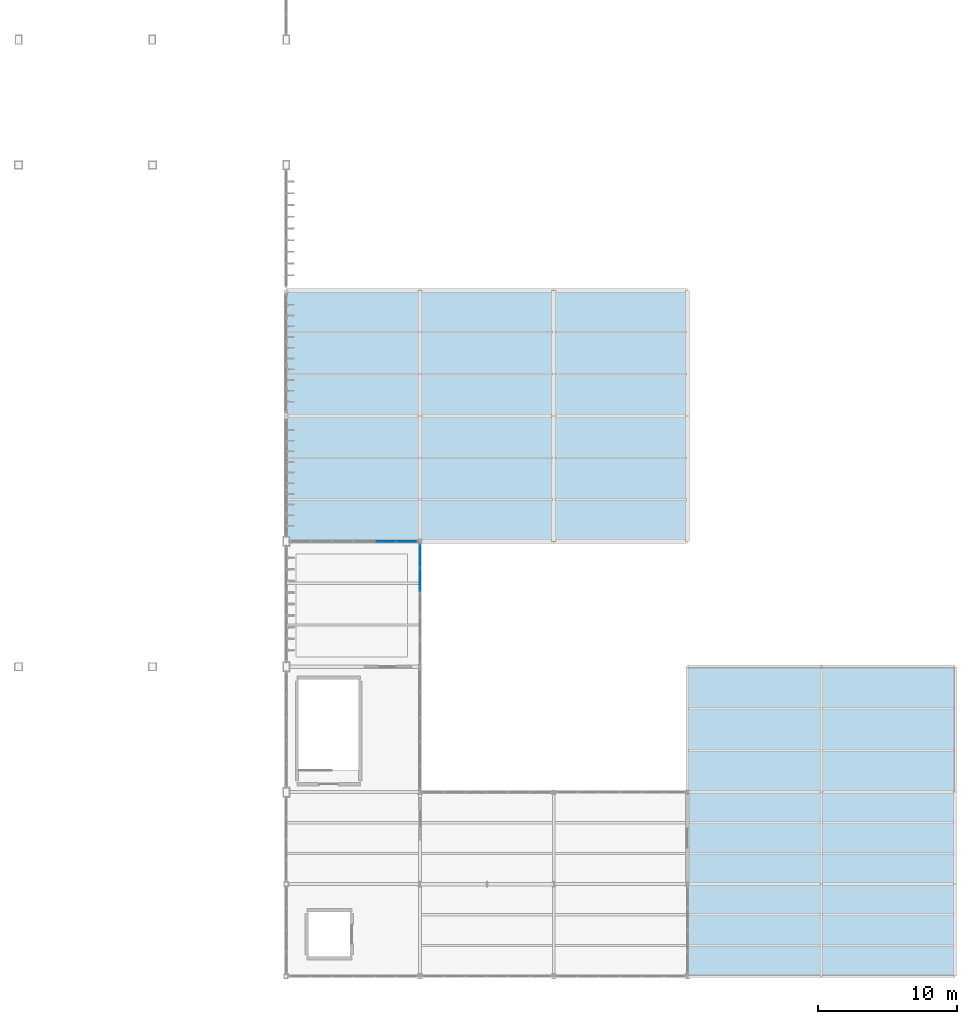
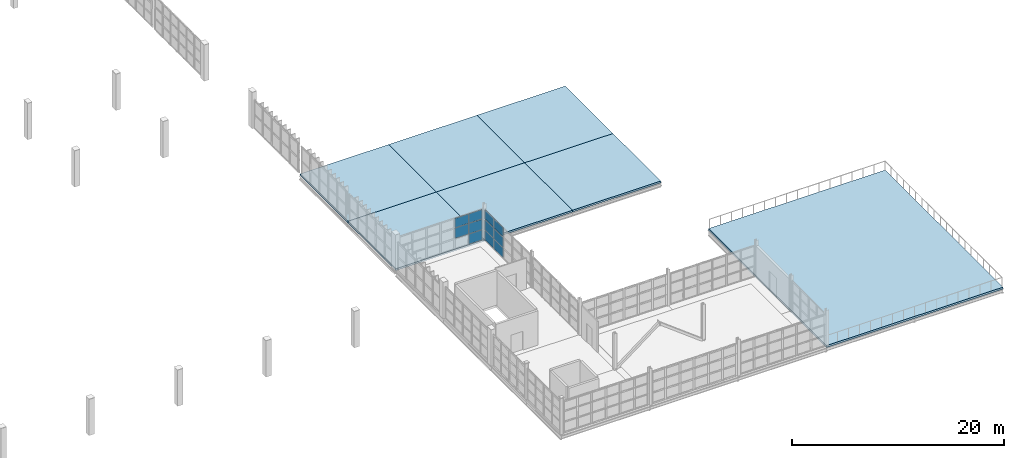
# One storey, part 62 of 82: 11 plates, 7 slabs, 2 elements without a shape of their own.
"""IFC4 building model written with IfcOpenShell, lengths in metres."""

from ifc_helpers import new_model, si_unit, direction, frame, origin, origin_2d, place, context, subcontext, project, spatial, polyline, rectangle, outline, extrude, material, layer, layer_set, type_object, element, aggregate, save


model = new_model("IFC4")

# Units and contexts
model_context = context("Model", 3, precision=1e-05, world=origin(), true_north=direction((0.0, 1.0)))
body_context = subcontext(model_context, "Body", "Model", "MODEL_VIEW")
ifc_project = project(units=[si_unit("LENGTHUNIT", "METRE"), si_unit("AREAUNIT", "SQUARE_METRE"), si_unit("VOLUMEUNIT", "CUBIC_METRE"), si_unit("PLANEANGLEUNIT", "RADIAN"), si_unit("MASSUNIT", "GRAM", prefix="KILO")], contexts=[model_context])

# Site, building, storey
site_placement = place(None, origin())
site = spatial("IfcSite", under=ifc_project, at=site_placement, CompositionType="ELEMENT")
building_placement = place(site_placement, origin())
building = spatial("IfcBuilding", under=site, at=building_placement, Name="Zarnetskaya Central Station", CompositionType="ELEMENT")
storey_placement = place(building_placement, frame((0.0, 0.0, 10.199951171875)))
storey = spatial("IfcBuildingStorey", under=building, at=storey_placement, Name="L02", CompositionType="ELEMENT", Elevation=10.199951171875)

# Curtain wall, plates
ifc_material_1 = material(Name="Low-E insulated glass", Category="glass")
ifc_layer_1 = layer(ifc_material_1, 0.1640625, Name="Low-E insulated glass", Category="glass")
ifc_layer_set_1 = layer_set([ifc_layer_1], Name="Low-E insulated glass")
curtain_wall_type = type_object("IfcCurtainWallType", Name="CW-SYS-07", PredefinedType="USERDEFINED", material=ifc_layer_set_1)
curtain_wall_1_placement = place(storey_placement, origin())
curtain_wall_1 = element("IfcCurtainWall", 1, at=curtain_wall_1_placement, inside=storey, type_object=curtain_wall_type, Name="Curtain wall CW-L02-137", ObjectType="CURTAIN WALL", PredefinedType="USERDEFINED")
ifc_layer_2 = layer(ifc_material_1, 0.035888671875, Name="Low-E insulated glass", Category="glass")
ifc_layer_set_2 = layer_set([ifc_layer_2], Name="Low-E insulated glass")
plate_type_1 = type_object("IfcPlateType", Name="CW-PAN-36", PredefinedType="CURTAIN_PANEL", material=ifc_layer_set_2)
plate_1_placement = place(storey_placement, frame((131.949951171875, 31.199951171875, 1.2587890625), z_axis=(0.0, 0.0, 1.0), x_axis=(1.0, 0.0, 0.0)))
plate_1 = element("IfcPlate", 2, at=plate_1_placement, type_object=plate_type_1, Name="CW-06 panel 5.2", PredefinedType="CURTAIN_PANEL", context=body_context, shape_type="SweptSolid", body=[
    extrude(rectangle(XDim=1.46337890625, YDim=0.035888671875, at=origin_2d()), origin(), (0.0, 0.0, 1.0), 1.154052734375),
])
plate_2_placement = place(storey_placement, frame((131.949951171875, 31.199951171875, 2.48291015625), z_axis=(0.0, 0.0, 1.0), x_axis=(1.0, 0.0, 0.0)))
plate_2 = element("IfcPlate", 3, at=plate_2_placement, type_object=plate_type_1, Name="CW-06 panel 5.3", PredefinedType="CURTAIN_PANEL", context=body_context, shape_type="SweptSolid", body=[
    extrude(rectangle(XDim=1.46337890625, YDim=0.035888671875, at=origin_2d()), origin(), (0.0, 0.0, 1.0), 1.047119140625),
])
plate_3_placement = place(storey_placement, frame((133.4658203125, 31.199951171875, 0.0703125), z_axis=(0.0, 0.0, 1.0), x_axis=(1.0, 0.0, 0.0)))
plate_3 = element("IfcPlate", 4, at=plate_3_placement, type_object=plate_type_1, Name="CW-06 panel 6.1", PredefinedType="CURTAIN_PANEL", context=body_context, shape_type="SweptSolid", body=[
    extrude(rectangle(XDim=1.42822265625, YDim=0.035888671875, at=origin_2d()), origin(), (0.0, 0.0, 1.0), 1.118896484375),
])
plate_4_placement = place(storey_placement, frame((133.4658203125, 31.199951171875, 1.2587890625), z_axis=(0.0, 0.0, 1.0), x_axis=(1.0, 0.0, 0.0)))
plate_4 = element("IfcPlate", 5, at=plate_4_placement, type_object=plate_type_1, Name="CW-06 panel 6.2", PredefinedType="CURTAIN_PANEL", context=body_context, shape_type="SweptSolid", body=[
    extrude(rectangle(XDim=1.42822265625, YDim=0.035888671875, at=origin_2d()), origin(), (0.0, 0.0, 1.0), 1.154052734375),
])
plate_5_placement = place(storey_placement, frame((133.4658203125, 31.199951171875, 2.48291015625), z_axis=(0.0, 0.0, 1.0), x_axis=(1.0, 0.0, 0.0)))
plate_5 = element("IfcPlate", 6, at=plate_5_placement, type_object=plate_type_1, Name="CW-06 panel 6.3", PredefinedType="CURTAIN_PANEL", context=body_context, shape_type="SweptSolid", body=[
    extrude(rectangle(XDim=1.42822265625, YDim=0.035888671875, at=origin_2d()), origin(), (0.0, 0.0, 1.0), 1.047119140625),
])
aggregate(curtain_wall_1, [plate_1, plate_2, plate_3, plate_4, plate_5])

curtain_wall_2_placement = place(storey_placement, origin())
curtain_wall_2 = element("IfcCurtainWall", 7, at=curtain_wall_2_placement, inside=storey, type_object=curtain_wall_type, Name="Curtain wall CW-L02-138", ObjectType="CURTAIN WALL", PredefinedType="USERDEFINED")
ifc_layer_3 = layer(ifc_material_1, 0.0400390625, Name="Low-E insulated glass", Category="glass")
ifc_layer_set_3 = layer_set([ifc_layer_3], Name="Low-E insulated glass")
plate_type_2 = type_object("IfcPlateType", Name="CW-PAN-40", PredefinedType="CURTAIN_PANEL", material=ifc_layer_set_3)
plate_6_placement = place(storey_placement, frame((134.39990234375, 30.159912109375, 0.080078125), z_axis=(0.0, 0.0, 1.0), x_axis=(0.0, -1.0, 0.0)))
plate_6 = element("IfcPlate", 8, at=plate_6_placement, type_object=plate_type_2, Name="CW-06 panel 1.1", PredefinedType="CURTAIN_PANEL", context=body_context, shape_type="SweptSolid", body=[
    extrude(rectangle(XDim=1.6201171875, YDim=0.0400390625, at=origin_2d()), origin(), (0.0, 0.0, 1.0), 1.10400390625),
])
plate_7_placement = place(storey_placement, frame((134.39990234375, 30.159912109375, 1.263916015625), z_axis=(0.0, 0.0, 1.0), x_axis=(0.0, -1.0, 0.0)))
plate_7 = element("IfcPlate", 9, at=plate_7_placement, type_object=plate_type_2, Name="CW-06 panel 1.2", PredefinedType="CURTAIN_PANEL", context=body_context, shape_type="SweptSolid", body=[
    extrude(rectangle(XDim=1.6201171875, YDim=0.0400390625, at=origin_2d()), origin(), (0.0, 0.0, 1.0), 1.14404296875),
])
plate_8_placement = place(storey_placement, frame((134.39990234375, 30.159912109375, 2.48828125), z_axis=(0.0, 0.0, 1.0), x_axis=(0.0, -1.0, 0.0)))
plate_8 = element("IfcPlate", 10, at=plate_8_placement, type_object=plate_type_2, Name="CW-06 panel 1.3", PredefinedType="CURTAIN_PANEL", context=body_context, shape_type="SweptSolid", body=[
    extrude(rectangle(XDim=1.6201171875, YDim=0.0400390625, at=origin_2d()), origin(), (0.0, 0.0, 1.0), 1.031982421875),
])
plate_9_placement = place(storey_placement, frame((134.39990234375, 28.43994140625, 0.080078125), z_axis=(0.0, 0.0, 1.0), x_axis=(0.0, -1.0, 0.0)))
plate_9 = element("IfcPlate", 11, at=plate_9_placement, type_object=plate_type_2, Name="CW-06 panel 2.1", PredefinedType="CURTAIN_PANEL", context=body_context, shape_type="SweptSolid", body=[
    extrude(rectangle(XDim=1.659912109375, YDim=0.0400390625, at=origin_2d()), origin(), (0.0, 0.0, 1.0), 1.10400390625),
])
plate_10_placement = place(storey_placement, frame((134.39990234375, 28.43994140625, 1.263916015625), z_axis=(0.0, 0.0, 1.0), x_axis=(0.0, -1.0, 0.0)))
plate_10 = element("IfcPlate", 12, at=plate_10_placement, type_object=plate_type_2, Name="CW-06 panel 2.2", PredefinedType="CURTAIN_PANEL", context=body_context, shape_type="SweptSolid", body=[
    extrude(rectangle(XDim=1.659912109375, YDim=0.0400390625, at=origin_2d()), origin(), (0.0, 0.0, 1.0), 1.14404296875),
])
plate_11_placement = place(storey_placement, frame((134.39990234375, 28.43994140625, 2.48828125), z_axis=(0.0, 0.0, 1.0), x_axis=(0.0, -1.0, 0.0)))
plate_11 = element("IfcPlate", 13, at=plate_11_placement, type_object=plate_type_2, Name="CW-06 panel 2.3", PredefinedType="CURTAIN_PANEL", context=body_context, shape_type="SweptSolid", body=[
    extrude(rectangle(XDim=1.659912109375, YDim=0.0400390625, at=origin_2d()), origin(), (0.0, 0.0, 1.0), 1.031982421875),
])
aggregate(curtain_wall_2, [plate_6, plate_7, plate_8, plate_9, plate_10, plate_11])

# Slabs
ifc_material_2 = material(Name="Concrete C30/37", Category="concrete")
ifc_layer_4 = layer(ifc_material_2, 0.2099609375, Name="Concrete C30/37", Category="concrete")
ifc_layer_set_4 = layer_set([ifc_layer_4], Name="Concrete C30/37")
slab_type_1 = type_object("IfcSlabType", Name="ROOF-FLAT-210", PredefinedType="ROOF", material=ifc_layer_set_4)
slab_1_placement = place(storey_placement, frame((0.0, 0.0, -0.2099609375)))
element("IfcSlab", 14, at=slab_1_placement, inside=storey, type_object=slab_type_1, Name="L02 slab P-Q/5-6", PredefinedType="ROOF", context=body_context, shape_type="SweptSolid", body=[
    extrude(outline(polyline([(124.800048828125, 31.199951171875), (134.39990234375, 31.199951171875), (134.39990234375, 40.199951171875), (124.800048828125, 40.199951171875), (124.800048828125, 31.199951171875)])), origin(), (0.0, 0.0, 1.0), 0.2099609375),
])
slab_2_placement = place(storey_placement, frame((0.0, 0.0, -0.2099609375)))
element("IfcSlab", 15, at=slab_2_placement, inside=storey, type_object=slab_type_1, Name="L02 slab P-Q/6-7", PredefinedType="ROOF", context=body_context, shape_type="SweptSolid", body=[
    extrude(outline(polyline([(124.800048828125, 40.199951171875), (134.39990234375, 40.199951171875), (134.39990234375, 49.199951171875), (124.800048828125, 49.199951171875), (124.800048828125, 40.199951171875)])), origin(), (0.0, 0.0, 1.0), 0.2099609375),
])
slab_3_placement = place(storey_placement, frame((0.0, 0.0, -0.2099609375)))
element("IfcSlab", 16, at=slab_3_placement, inside=storey, type_object=slab_type_1, Name="L02 slab Q-R/5-6", PredefinedType="ROOF", context=body_context, shape_type="SweptSolid", body=[
    extrude(outline(polyline([(134.39990234375, 31.199951171875), (144.0, 31.199951171875), (144.0, 40.199951171875), (134.39990234375, 40.199951171875), (134.39990234375, 31.199951171875)])), origin(), (0.0, 0.0, 1.0), 0.2099609375),
])
slab_4_placement = place(storey_placement, frame((0.0, 0.0, -0.2099609375)))
element("IfcSlab", 17, at=slab_4_placement, inside=storey, type_object=slab_type_1, Name="L02 slab Q-R/6-7", PredefinedType="ROOF", context=body_context, shape_type="SweptSolid", body=[
    extrude(outline(polyline([(134.39990234375, 40.199951171875), (144.0, 40.199951171875), (144.0, 49.199951171875), (134.39990234375, 49.199951171875), (134.39990234375, 40.199951171875)])), origin(), (0.0, 0.0, 1.0), 0.2099609375),
])
slab_5_placement = place(storey_placement, frame((0.0, 0.0, -0.2099609375)))
element("IfcSlab", 18, at=slab_5_placement, inside=storey, type_object=slab_type_1, Name="L02 slab R-S/5-6", PredefinedType="ROOF", context=body_context, shape_type="SweptSolid", body=[
    extrude(outline(polyline([(144.0, 31.199951171875), (153.60009765625, 31.199951171875), (153.60009765625, 40.199951171875), (144.0, 40.199951171875), (144.0, 31.199951171875)])), origin(), (0.0, 0.0, 1.0), 0.2099609375),
])
slab_6_placement = place(storey_placement, frame((0.0, 0.0, -0.2099609375)))
element("IfcSlab", 19, at=slab_6_placement, inside=storey, type_object=slab_type_1, Name="L02 slab R-S/6-7", PredefinedType="ROOF", context=body_context, shape_type="SweptSolid", body=[
    extrude(outline(polyline([(144.0, 40.199951171875), (153.60009765625, 40.199951171875), (153.60009765625, 49.199951171875), (144.0, 49.199951171875), (144.0, 40.199951171875)])), origin(), (0.0, 0.0, 1.0), 0.2099609375),
])
ifc_layer_5 = layer(ifc_material_2, 0.219970703125, Name="Concrete C30/37", Category="concrete")
ifc_layer_set_5 = layer_set([ifc_layer_5], Name="Concrete C30/37")
slab_type_2 = type_object("IfcSlabType", Name="SLAB-TER-220", PredefinedType="FLOOR", material=ifc_layer_set_5)
slab_7_placement = place(storey_placement, frame((0.0, 0.0, -0.219970703125)))
element("IfcSlab", 20, at=slab_7_placement, inside=storey, type_object=slab_type_2, Name="Pavilion L02 outdoor roof terrace slab", PredefinedType="FLOOR", context=body_context, shape_type="SweptSolid", body=[
    extrude(outline(polyline([(153.60009765625, 0.0), (172.800048828125, 0.0), (172.800048828125, 22.199951171875), (153.60009765625, 22.199951171875), (153.60009765625, 0.0)])), origin(), (0.0, 0.0, 1.0), 0.219970703125),
])

save(model, "model.ifc")
